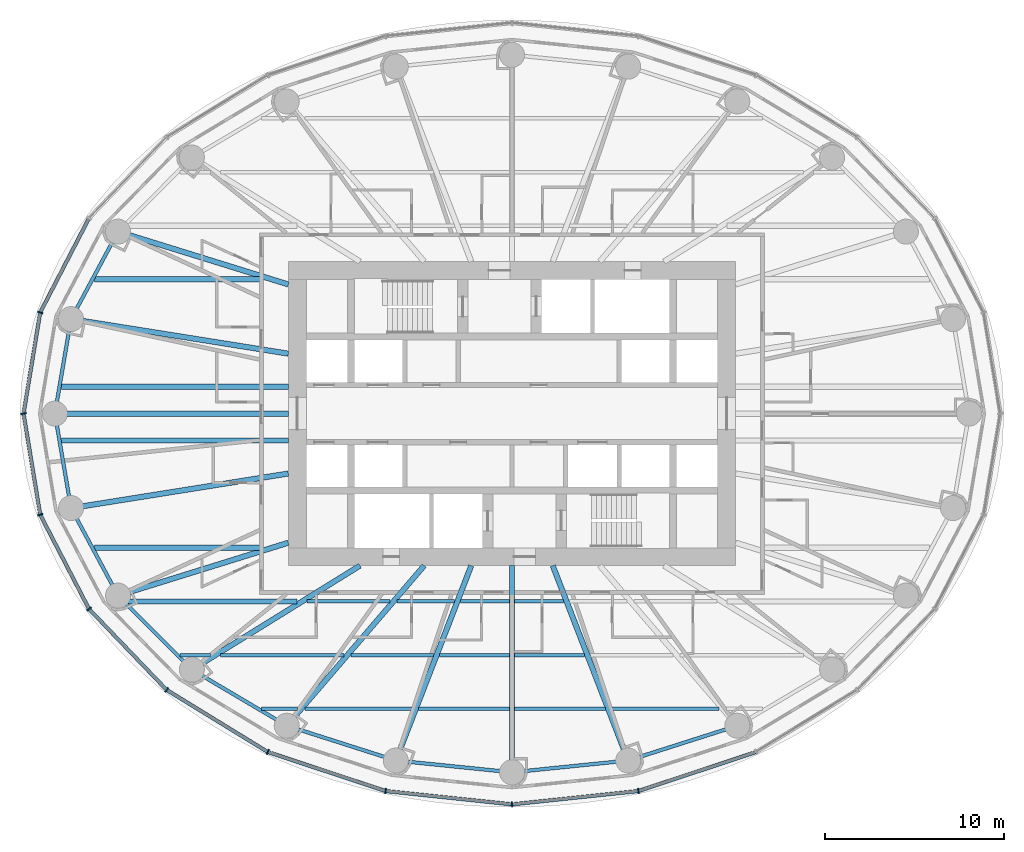
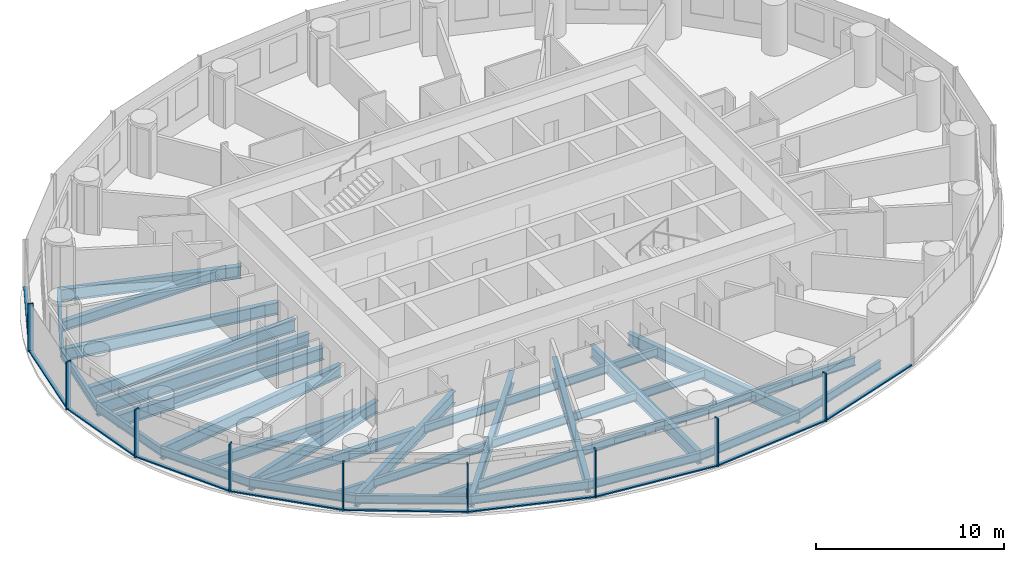
# One storey, part 2 of 14: 39 beams, 19 members, 3 elements without a shape of their own.
"""IFC4 building model written with IfcOpenShell, lengths in metres."""

from ifc_helpers import new_model, si_unit, direction, frame, origin, origin_2d, place, context, subcontext, project, spatial, rectangle, i_section, extrude, material, material_profile, profile_set, type_object, element, aggregate, save


model = new_model("IFC4")

# Units and contexts
model_context = context("Model", 3, precision=1e-05, world=origin(), true_north=direction((0.0, 1.0)))
body_context = subcontext(model_context, "Body", "Model", "MODEL_VIEW")
ifc_project = project(units=[si_unit("LENGTHUNIT", "METRE"), si_unit("AREAUNIT", "SQUARE_METRE"), si_unit("VOLUMEUNIT", "CUBIC_METRE"), si_unit("PLANEANGLEUNIT", "RADIAN"), si_unit("MASSUNIT", "GRAM", prefix="KILO")], contexts=[model_context])

# Site, building, storey
site_placement = place(None, origin())
site = spatial("IfcSite", under=ifc_project, at=site_placement, CompositionType="ELEMENT")
building_placement = place(site_placement, origin())
building = spatial("IfcBuilding", under=site, at=building_placement, Name="Hankou Lantern Tower", CompositionType="ELEMENT")
storey_placement = place(building_placement, frame((0.0, 0.0, 63.89990234375)))
storey = spatial("IfcBuildingStorey", under=building, at=storey_placement, Name="L15", CompositionType="ELEMENT", Elevation=63.89990234375)

# Beams
ifc_material_1 = material(Name="Steel Q355B", Category="steel")
ifc_material_profile_1 = material_profile(ifc_material_1, i_section(OverallWidth=0.199951171875, OverallDepth=0.550048828125, WebThickness=0.010009765625, FlangeThickness=0.01611328125, FilletRadius=0.012939453125, at=origin_2d()), Name="HN550x200x10x16")
ifc_profile_set_1 = profile_set([ifc_material_profile_1], Name="Steel Q355B")
beam_type_1 = type_object("IfcBeamType", Name="EB6 RING BEAM HN550x200x10x16", PredefinedType="SPANDREL", material=ifc_profile_set_1)
beam_1_placement = place(storey_placement, frame((-22.01904296875, 10.170166015625, -0.454833984375), z_axis=(-0.473609096023, -0.880735161194, 0.0), x_axis=(0.880735161194, -0.473609096023, 0.0)))
element("IfcBeam", 1, at=beam_1_placement, inside=storey, type_object=beam_type_1, Name="Ring beam R11-R12 L15", PredefinedType="SPANDREL", context=body_context, shape_type="SweptSolid", body=[
    extrude(i_section(OverallWidth=0.199951171875, OverallDepth=0.550048828125, WebThickness=0.010009765625, FlangeThickness=0.01611328125, FilletRadius=0.012939453125, at=origin_2d()), origin(), (0.0, 0.0, 1.0), 5.548828125),
])
for number, where, z_axis, x_axis, name in (
    (2, (-24.64697265625, 5.283203125, -0.454833984375), (-0.168489691988, -0.985703415685, 0.0), (0.985703415685, -0.168489691988, 0.0), "Ring beam R12-R13 L15"),
    (3, (-25.550048828125, 0.0, -0.454833984375), (0.168489691988, -0.985703415685, 0.0), (0.985703415685, 0.168489691988, 0.0), "Ring beam R13-R14 L15"),
):
    element("IfcBeam", number, at=place(storey_placement, frame(where, z_axis=z_axis, x_axis=x_axis)), inside=storey, type_object=beam_type_1, Name=name, PredefinedType="SPANDREL", context=body_context, shape_type="SweptSolid", body=[
        extrude(i_section(OverallWidth=0.199951171875, OverallDepth=0.550048828125, WebThickness=0.010009765625, FlangeThickness=0.01611328125, FilletRadius=0.012939453125, at=origin_2d()), origin(), (0.0, 0.0, 1.0), 5.35986328125),
    ])
beam_2_placement = place(storey_placement, frame((-24.64697265625, -5.283203125, -0.454833984375), z_axis=(0.473609096023, -0.880735161194, 0.0), x_axis=(0.880735161194, 0.473609096023, 0.0)))
element("IfcBeam", 4, at=beam_2_placement, inside=storey, type_object=beam_type_1, Name="Ring beam R14-R15 L15", PredefinedType="SPANDREL", context=body_context, shape_type="SweptSolid", body=[
    extrude(i_section(OverallWidth=0.199951171875, OverallDepth=0.550048828125, WebThickness=0.010009765625, FlangeThickness=0.01611328125, FilletRadius=0.012939453125, at=origin_2d()), origin(), (0.0, 0.0, 1.0), 5.548828125),
])
beam_3_placement = place(storey_placement, frame((-22.01904296875, -10.170166015625, -0.454833984375), z_axis=(0.705727798394, -0.708483079949, 0.0), x_axis=(0.708483079949, 0.705727798394, 0.0)))
element("IfcBeam", 5, at=beam_3_placement, inside=storey, type_object=beam_type_1, Name="Ring beam R15-R16 L15", PredefinedType="SPANDREL", context=body_context, shape_type="SweptSolid", body=[
    extrude(i_section(OverallWidth=0.199951171875, OverallDepth=0.550048828125, WebThickness=0.010009765625, FlangeThickness=0.01611328125, FilletRadius=0.012939453125, at=origin_2d()), origin(), (0.0, 0.0, 1.0), 5.84814453125),
])
beam_4_placement = place(storey_placement, frame((-17.891845703125, -14.3134765625, -0.454833984375), z_axis=(0.860881533543, -0.508805449268, 0.0), x_axis=(0.508805449268, 0.860881533543, 0.0)))
element("IfcBeam", 6, at=beam_4_placement, inside=storey, type_object=beam_type_1, Name="Ring beam R16-R17 L15", PredefinedType="SPANDREL", context=body_context, shape_type="SweptSolid", body=[
    extrude(i_section(OverallWidth=0.199951171875, OverallDepth=0.550048828125, WebThickness=0.010009765625, FlangeThickness=0.01611328125, FilletRadius=0.012939453125, at=origin_2d()), origin(), (0.0, 0.0, 1.0), 6.15771484375),
])
beam_5_placement = place(storey_placement, frame((-12.5908203125, -17.446533203125, -0.454833984375), z_axis=(0.952690479428, -0.303942182671, 0.0), x_axis=(0.303942182671, 0.952690479428, 0.0)))
element("IfcBeam", 7, at=beam_5_placement, inside=storey, type_object=beam_type_1, Name="Ring beam R17-R18 L15", PredefinedType="SPANDREL", context=body_context, shape_type="SweptSolid", body=[
    extrude(i_section(OverallWidth=0.199951171875, OverallDepth=0.550048828125, WebThickness=0.010009765625, FlangeThickness=0.01611328125, FilletRadius=0.012939453125, at=origin_2d()), origin(), (0.0, 0.0, 1.0), 6.398681640625),
])
for number, where, z_axis, x_axis, name in (
    (8, (-6.494873046875, -19.391357421875, -0.454833984375), (0.994896616842, -0.100899562915, 0.0), (0.100899562915, 0.994896616842, 0.0), "Ring beam R18-R19 L15"),
    (9, (0.0, -20.050048828125, -0.454833984375), (0.994896616842, 0.100899562915, 0.0), (-0.100899562915, 0.994896616842, 0.0), "Ring beam R19-R20 L15"),
):
    element("IfcBeam", number, at=place(storey_placement, frame(where, z_axis=z_axis, x_axis=x_axis)), inside=storey, type_object=beam_type_1, Name=name, PredefinedType="SPANDREL", context=body_context, shape_type="SweptSolid", body=[
        extrude(i_section(OverallWidth=0.199951171875, OverallDepth=0.550048828125, WebThickness=0.010009765625, FlangeThickness=0.01611328125, FilletRadius=0.012939453125, at=origin_2d()), origin(), (0.0, 0.0, 1.0), 6.528076171875),
    ])
beam_6_placement = place(storey_placement, frame((6.494873046875, -19.391357421875, -0.454833984375), z_axis=(0.952690479428, 0.303942182671, 0.0), x_axis=(-0.303942182671, 0.952690479428, 0.0)))
element("IfcBeam", 10, at=beam_6_placement, inside=storey, type_object=beam_type_1, Name="Ring beam R20-R21 L15", PredefinedType="SPANDREL", context=body_context, shape_type="SweptSolid", body=[
    extrude(i_section(OverallWidth=0.199951171875, OverallDepth=0.550048828125, WebThickness=0.010009765625, FlangeThickness=0.01611328125, FilletRadius=0.012939453125, at=origin_2d()), origin(), (0.0, 0.0, 1.0), 6.398681640625),
])

# Curtain wall, member
ifc_material_2 = material(Name="Glass, dark grey tinted laminated", Category="glass")
curtain_wall_type = type_object("IfcCurtainWallType", Name="CWA OUTER SKIN LOW-RISE", PredefinedType="USERDEFINED", material=ifc_material_2)
curtain_wall_1_placement = place(storey_placement, origin())
curtain_wall_1 = element("IfcCurtainWall", 11, at=curtain_wall_1_placement, inside=storey, type_object=curtain_wall_type, Name="CWA L15 OS2", ObjectType="OUTER SKIN LOW-RISE", PredefinedType="USERDEFINED")
ifc_material_3 = material(Name="Aluminium, black anodised", Category="aluminium")
ifc_material_profile_2 = material_profile(ifc_material_3, rectangle(XDim=0.080078125, YDim=0.300048828125, at=origin_2d()), Name="MU1 80X300")
ifc_profile_set_2 = profile_set([ifc_material_profile_2], Name="Aluminium, black anodised")
member_type_1 = type_object("IfcMemberType", Name="MU1 OUTER SKIN MULLION 80X300", PredefinedType="MULLION", material=ifc_profile_set_2)
member_1_placement = place(storey_placement, frame((-26.369873046875, 5.652587890625, 0.0), z_axis=(0.0, 0.0, 1.0), x_axis=(-0.317595577365, -0.94822626479, 0.0)))
member_1 = element("IfcMember", 12, at=member_1_placement, type_object=member_type_1, Name="CWA mullion 6", PredefinedType="MULLION", context=body_context, shape_type="SweptSolid", body=[
    extrude(rectangle(XDim=0.080078125, YDim=0.300048828125, at=origin_2d()), origin(), (0.0, 0.0, 1.0), 3.1201171875),
])

# Curtain wall, members
curtain_wall_2_placement = place(storey_placement, origin())
curtain_wall_2 = element("IfcCurtainWall", 13, at=curtain_wall_2_placement, inside=storey, type_object=curtain_wall_type, Name="CWA L15 OS3", ObjectType="OUTER SKIN LOW-RISE", PredefinedType="USERDEFINED")
member_2_placement = place(storey_placement, frame((-27.300048828125, 0.0, 0.0), z_axis=(0.0, 0.0, 1.0), x_axis=(0.162381515188, -0.986728049427, 0.0)))
member_2 = element("IfcMember", 14, at=member_2_placement, type_object=member_type_1, Name="CWA mullion 1", PredefinedType="MULLION", context=body_context, shape_type="SweptSolid", body=[
    extrude(rectangle(XDim=0.080078125, YDim=0.300048828125, at=origin_2d()), origin(), (0.0, 0.0, 1.0), 3.1201171875),
])
member_3_placement = place(storey_placement, frame((-26.369873046875, -5.652587890625, 0.0), z_axis=(0.0, 0.0, 1.0), x_axis=(0.317595577365, -0.94822626479, 0.0)))
member_3 = element("IfcMember", 15, at=member_3_placement, type_object=member_type_1, Name="CWA mullion 2", PredefinedType="MULLION", context=body_context, shape_type="SweptSolid", body=[
    extrude(rectangle(XDim=0.080078125, YDim=0.300048828125, at=origin_2d()), origin(), (0.0, 0.0, 1.0), 3.1201171875),
])
member_4_placement = place(storey_placement, frame((-23.642578125, -10.919921875, 0.0), z_axis=(0.0, 0.0, 1.0), x_axis=(0.585205735974, -0.810884854084, 0.0)))
member_4 = element("IfcMember", 16, at=member_4_placement, type_object=member_type_1, Name="CWA mullion 3", PredefinedType="MULLION", context=body_context, shape_type="SweptSolid", body=[
    extrude(rectangle(XDim=0.080078125, YDim=0.300048828125, at=origin_2d()), origin(), (0.0, 0.0, 1.0), 3.1201171875),
])
member_5_placement = place(storey_placement, frame((-19.303955078125, -15.443115234375, 0.0), z_axis=(0.0, 0.0, 1.0), x_axis=(0.780868809444, -0.624695047553, 0.0)))
member_5 = element("IfcMember", 17, at=member_5_placement, type_object=member_type_1, Name="CWA mullion 4", PredefinedType="MULLION", context=body_context, shape_type="SweptSolid", body=[
    extrude(rectangle(XDim=0.080078125, YDim=0.300048828125, at=origin_2d()), origin(), (0.0, 0.0, 1.0), 3.1201171875),
])
member_6_placement = place(storey_placement, frame((-13.64990234375, -18.9140625, 0.0), z_axis=(0.0, 0.0, 1.0), x_axis=(0.907841299004, -0.419313934686, 0.0)))
member_6 = element("IfcMember", 18, at=member_6_placement, type_object=member_type_1, Name="CWA mullion 5", PredefinedType="MULLION", context=body_context, shape_type="SweptSolid", body=[
    extrude(rectangle(XDim=0.080078125, YDim=0.300048828125, at=origin_2d()), origin(), (0.0, 0.0, 1.0), 3.1201171875),
])
member_7_placement = place(storey_placement, frame((-7.065673828125, -21.095703125, 0.0), z_axis=(0.0, 0.0, 1.0), x_axis=(0.977787659625, -0.209597931016, 0.0)))
member_7 = element("IfcMember", 19, at=member_7_placement, type_object=member_type_1, Name="CWA mullion 6", PredefinedType="MULLION", context=body_context, shape_type="SweptSolid", body=[
    extrude(rectangle(XDim=0.080078125, YDim=0.300048828125, at=origin_2d()), origin(), (0.0, 0.0, 1.0), 3.1201171875),
])

curtain_wall_3_placement = place(storey_placement, origin())
curtain_wall_3 = element("IfcCurtainWall", 20, at=curtain_wall_3_placement, inside=storey, type_object=curtain_wall_type, Name="CWA L15 OS4", ObjectType="OUTER SKIN LOW-RISE", PredefinedType="USERDEFINED")
member_8_placement = place(storey_placement, frame((0.0, -21.840087890625, 0.0), z_axis=(0.0, 0.0, 1.0), x_axis=(0.994499359107, 0.104742659579, 0.0)))
member_8 = element("IfcMember", 21, at=member_8_placement, type_object=member_type_1, Name="CWA mullion 1", PredefinedType="MULLION", context=body_context, shape_type="SweptSolid", body=[
    extrude(rectangle(XDim=0.080078125, YDim=0.300048828125, at=origin_2d()), origin(), (0.0, 0.0, 1.0), 3.1201171875),
])
member_9_placement = place(storey_placement, frame((7.065673828125, -21.095703125, 0.0), z_axis=(0.0, 0.0, 1.0), x_axis=(0.977787659625, 0.209597931016, 0.0)))
member_9 = element("IfcMember", 22, at=member_9_placement, type_object=member_type_1, Name="CWA mullion 2", PredefinedType="MULLION", context=body_context, shape_type="SweptSolid", body=[
    extrude(rectangle(XDim=0.080078125, YDim=0.300048828125, at=origin_2d()), origin(), (0.0, 0.0, 1.0), 3.1201171875),
])

# Beams
ifc_material_4 = material(Name="Steel Q355B", Category="steel")
ifc_material_profile_3 = material_profile(ifc_material_4, i_section(OverallWidth=0.300048828125, OverallDepth=0.800048828125, WebThickness=0.013916015625, FlangeThickness=0.02587890625, FilletRadius=0.01806640625, at=origin_2d()), Name="HN800x300x14x26")
ifc_profile_set_3 = profile_set([ifc_material_profile_3], Name="Steel Q355B")
beam_type_2 = type_object("IfcBeamType", Name="RB11 RADIAL BEAM HN800x300x14x26", PredefinedType="BEAM", material=ifc_profile_set_3)
beam_7_placement = place(storey_placement, frame((-12.5, 7.216796875, -0.579833984375), z_axis=(-0.955087327755, 0.29632447817, 0.0), x_axis=(-0.29632447817, -0.955087327755, 0.0)))
element("IfcBeam", 23, at=beam_7_placement, inside=storey, type_object=beam_type_2, Name="Radial beam R11 L15", PredefinedType="BEAM", context=body_context, shape_type="SweptSolid", body=[
    extrude(i_section(OverallWidth=0.300048828125, OverallDepth=0.800048828125, WebThickness=0.013916015625, FlangeThickness=0.02587890625, FilletRadius=0.01806640625, at=origin_2d()), origin(), (0.0, 0.0, 1.0), 9.966552734375),
])
for number, where, z_axis, x_axis, name in (
    (24, (-12.5, 3.349365234375, -0.579833984375), (-0.987563081343, 0.157223281893, 0.0), (-0.157223281893, -0.987563081343, 0.0), "Radial beam R12 L15"),
    (25, (-12.5, -3.349365234375, -0.579833984375), (-0.987563081343, -0.157223281893, 0.0), (0.157223281893, -0.987563081343, 0.0), "Radial beam R14 L15"),
):
    element("IfcBeam", number, at=place(storey_placement, frame(where, z_axis=z_axis, x_axis=x_axis)), inside=storey, type_object=beam_type_2, Name=name, PredefinedType="BEAM", context=body_context, shape_type="SweptSolid", body=[
        extrude(i_section(OverallWidth=0.300048828125, OverallDepth=0.800048828125, WebThickness=0.013916015625, FlangeThickness=0.02587890625, FilletRadius=0.01806640625, at=origin_2d()), origin(), (0.0, 0.0, 1.0), 12.300048828125),
    ])
beam_8_placement = place(storey_placement, frame((-12.5, -7.216796875, -0.579833984375), z_axis=(-0.955087327755, -0.29632447817, 0.0), x_axis=(0.29632447817, -0.955087327755, 0.0)))
element("IfcBeam", 26, at=beam_8_placement, inside=storey, type_object=beam_type_2, Name="Radial beam R15 L15", PredefinedType="BEAM", context=body_context, shape_type="SweptSolid", body=[
    extrude(i_section(OverallWidth=0.300048828125, OverallDepth=0.800048828125, WebThickness=0.013916015625, FlangeThickness=0.02587890625, FilletRadius=0.01806640625, at=origin_2d()), origin(), (0.0, 0.0, 1.0), 9.966552734375),
])
beam_9_placement = place(storey_placement, frame((-8.5, -8.5, -0.579833984375), z_axis=(-0.850286343288, -0.526320372414, 0.0), x_axis=(0.526320372414, -0.850286343288, 0.0)))
element("IfcBeam", 27, at=beam_9_placement, inside=storey, type_object=beam_type_2, Name="Radial beam R16 L15", PredefinedType="BEAM", context=body_context, shape_type="SweptSolid", body=[
    extrude(i_section(OverallWidth=0.300048828125, OverallDepth=0.800048828125, WebThickness=0.013916015625, FlangeThickness=0.02587890625, FilletRadius=0.01806640625, at=origin_2d()), origin(), (0.0, 0.0, 1.0), 11.04541015625),
])
beam_10_placement = place(storey_placement, frame((-4.907470703125, -8.5, -0.579833984375), z_axis=(-0.651519061225, -0.758632264579, 0.0), x_axis=(0.758632264579, -0.651519061225, 0.0)))
element("IfcBeam", 28, at=beam_10_placement, inside=storey, type_object=beam_type_2, Name="Radial beam R17 L15", PredefinedType="BEAM", context=body_context, shape_type="SweptSolid", body=[
    extrude(i_section(OverallWidth=0.300048828125, OverallDepth=0.800048828125, WebThickness=0.013916015625, FlangeThickness=0.02587890625, FilletRadius=0.01806640625, at=origin_2d()), origin(), (0.0, 0.0, 1.0), 11.79296875),
])
beam_11_placement = place(storey_placement, frame((-2.277587890625, -8.5, -0.579833984375), z_axis=(-0.361089103374, -0.932531318201, 0.0), x_axis=(0.932531318201, -0.361089103374, 0.0)))
element("IfcBeam", 29, at=beam_11_placement, inside=storey, type_object=beam_type_2, Name="Radial beam R18 L15", PredefinedType="BEAM", context=body_context, shape_type="SweptSolid", body=[
    extrude(i_section(OverallWidth=0.300048828125, OverallDepth=0.800048828125, WebThickness=0.013916015625, FlangeThickness=0.02587890625, FilletRadius=0.01806640625, at=origin_2d()), origin(), (0.0, 0.0, 1.0), 11.679443359375),
])
beam_12_placement = place(storey_placement, frame((0.0, -8.5, -0.579833984375), z_axis=(0.0, -1.0, 0.0), x_axis=(1.0, 0.0, 0.0)))
element("IfcBeam", 30, at=beam_12_placement, inside=storey, type_object=beam_type_2, Name="Radial beam R19 L15", PredefinedType="BEAM", context=body_context, shape_type="SweptSolid", body=[
    extrude(i_section(OverallWidth=0.300048828125, OverallDepth=0.800048828125, WebThickness=0.013916015625, FlangeThickness=0.02587890625, FilletRadius=0.01806640625, at=origin_2d()), origin(), (0.0, 0.0, 1.0), 11.550048828125),
])
beam_13_placement = place(storey_placement, frame((2.277587890625, -8.5, -0.579833984375), z_axis=(0.361089103374, -0.932531318201, 0.0), x_axis=(0.932531318201, 0.361089103374, 0.0)))
element("IfcBeam", 31, at=beam_13_placement, inside=storey, type_object=beam_type_2, Name="Radial beam R20 L15", PredefinedType="BEAM", context=body_context, shape_type="SweptSolid", body=[
    extrude(i_section(OverallWidth=0.300048828125, OverallDepth=0.800048828125, WebThickness=0.013916015625, FlangeThickness=0.02587890625, FilletRadius=0.01806640625, at=origin_2d()), origin(), (0.0, 0.0, 1.0), 11.679443359375),
])
ifc_material_5 = material(Name="Steel Q355B", Category="steel")
ifc_material_profile_4 = material_profile(ifc_material_5, i_section(OverallWidth=0.300048828125, OverallDepth=0.85009765625, WebThickness=0.01611328125, FlangeThickness=0.027099609375, FilletRadius=0.01806640625, at=origin_2d()), Name="HN850x300x16x27")
ifc_profile_set_4 = profile_set([ifc_material_profile_4], Name="Steel Q355B")
beam_type_3 = type_object("IfcBeamType", Name="RB12 RADIAL BEAM HN850x300x16x27", PredefinedType="BEAM", material=ifc_profile_set_4)
beam_14_placement = place(storey_placement, frame((-12.5, 0.0, -0.60498046875), z_axis=(-1.0, 0.0, 0.0), x_axis=(0.0, -1.0, 0.0)))
element("IfcBeam", 32, at=beam_14_placement, inside=storey, type_object=beam_type_3, Name="Radial beam R13 L15", PredefinedType="BEAM", context=body_context, shape_type="SweptSolid", body=[
    extrude(i_section(OverallWidth=0.300048828125, OverallDepth=0.85009765625, WebThickness=0.01611328125, FlangeThickness=0.027099609375, FilletRadius=0.01806640625, at=origin_2d()), origin(), (0.0, 0.0, 1.0), 13.050048828125),
])
ifc_material_6 = material(Name="Steel Q355B", Category="steel")
ifc_material_profile_5 = material_profile(ifc_material_6, i_section(OverallWidth=0.300048828125, OverallDepth=0.800048828125, WebThickness=0.013916015625, FlangeThickness=0.02587890625, FilletRadius=0.01806640625, at=origin_2d()), Name="HN800x300x14x26")
ifc_profile_set_5 = profile_set([ifc_material_profile_5], Name="Steel Q355B")
beam_type_4 = type_object("IfcBeamType", Name="SB11 SECONDARY BEAM HN800x300x14x26", PredefinedType="JOIST", material=ifc_profile_set_5)
for number, where, z_axis, x_axis, name in (
    (33, (-25.192138671875, -1.5, -0.579833984375), (1.0, 0.0, 0.0), (0.0, 1.0, 0.0), "Floor joist J029 L15"),
    (34, (-25.192138671875, 1.5, -0.579833984375), (1.0, 0.0, 0.0), (0.0, 1.0, 0.0), "Floor joist J031 L15"),
):
    element("IfcBeam", number, at=place(storey_placement, frame(where, z_axis=z_axis, x_axis=x_axis)), inside=storey, type_object=beam_type_4, Name=name, PredefinedType="JOIST", context=body_context, shape_type="SweptSolid", body=[
        extrude(i_section(OverallWidth=0.300048828125, OverallDepth=0.800048828125, WebThickness=0.013916015625, FlangeThickness=0.02587890625, FilletRadius=0.01806640625, at=origin_2d()), origin(), (0.0, 0.0, 1.0), 12.692138671875),
    ])
ifc_material_7 = material(Name="Steel Q355B", Category="steel")
ifc_material_profile_6 = material_profile(ifc_material_7, i_section(OverallWidth=0.199951171875, OverallDepth=0.550048828125, WebThickness=0.010009765625, FlangeThickness=0.01611328125, FilletRadius=0.012939453125, at=origin_2d()), Name="HN550x200x10x16")
ifc_profile_set_6 = profile_set([ifc_material_profile_6], Name="Steel Q355B")
beam_type_5 = type_object("IfcBeamType", Name="SB6 SECONDARY BEAM HN550x200x10x16", PredefinedType="JOIST", material=ifc_profile_set_6)
beam_15_placement = place(storey_placement, frame((-13.99560546875, -16.5, -0.454833984375), z_axis=(1.0, 0.0, 0.0), x_axis=(0.0, 1.0, 0.0)))
element("IfcBeam", 35, at=beam_15_placement, inside=storey, type_object=beam_type_5, Name="Floor joist J001 L15", PredefinedType="JOIST", context=body_context, shape_type="SweptSolid", body=[
    extrude(i_section(OverallWidth=0.199951171875, OverallDepth=0.550048828125, WebThickness=0.010009765625, FlangeThickness=0.01611328125, FilletRadius=0.012939453125, at=origin_2d()), origin(), (0.0, 0.0, 1.0), 2.019775390625),
])
beam_16_placement = place(storey_placement, frame((-11.580322265625, -16.5, -0.454833984375), z_axis=(1.0, 0.0, 0.0), x_axis=(0.0, 1.0, 0.0)))
element("IfcBeam", 36, at=beam_16_placement, inside=storey, type_object=beam_type_5, Name="Floor joist J002 L15", PredefinedType="JOIST", context=body_context, shape_type="SweptSolid", body=[
    extrude(i_section(OverallWidth=0.199951171875, OverallDepth=0.550048828125, WebThickness=0.010009765625, FlangeThickness=0.01611328125, FilletRadius=0.012939453125, at=origin_2d()), origin(), (0.0, 0.0, 1.0), 6.044189453125),
])
for number, where, z_axis, x_axis, name in (
    (37, (-5.21435546875, -16.5, -0.454833984375), (1.0, 0.0, 0.0), (0.0, 1.0, 0.0), "Floor joist J003 L15"),
    (38, (0.14990234375, -16.5, -0.454833984375), (1.0, 0.0, 0.0), (0.0, 1.0, 0.0), "Floor joist J004 L15"),
):
    element("IfcBeam", number, at=place(storey_placement, frame(where, z_axis=z_axis, x_axis=x_axis)), inside=storey, type_object=beam_type_5, Name=name, PredefinedType="JOIST", context=body_context, shape_type="SweptSolid", body=[
        extrude(i_section(OverallWidth=0.199951171875, OverallDepth=0.550048828125, WebThickness=0.010009765625, FlangeThickness=0.01611328125, FilletRadius=0.012939453125, at=origin_2d()), origin(), (0.0, 0.0, 1.0), 5.064453125),
    ])
beam_17_placement = place(storey_placement, frame((5.5361328125, -16.5, -0.454833984375), z_axis=(1.0, 0.0, 0.0), x_axis=(0.0, 1.0, 0.0)))
element("IfcBeam", 39, at=beam_17_placement, inside=storey, type_object=beam_type_5, Name="Floor joist J005 L15", PredefinedType="JOIST", context=body_context, shape_type="SweptSolid", body=[
    extrude(i_section(OverallWidth=0.199951171875, OverallDepth=0.550048828125, WebThickness=0.010009765625, FlangeThickness=0.01611328125, FilletRadius=0.012939453125, at=origin_2d()), origin(), (0.0, 0.0, 1.0), 6.044189453125),
])
beam_18_placement = place(storey_placement, frame((-18.560791015625, -13.5, -0.454833984375), z_axis=(1.0, 0.0, 0.0), x_axis=(0.0, 1.0, 0.0)))
element("IfcBeam", 40, at=beam_18_placement, inside=storey, type_object=beam_type_5, Name="Floor joist J007 L15", PredefinedType="JOIST", context=body_context, shape_type="SweptSolid", body=[
    extrude(i_section(OverallWidth=0.199951171875, OverallDepth=0.550048828125, WebThickness=0.010009765625, FlangeThickness=0.01611328125, FilletRadius=0.012939453125, at=origin_2d()), origin(), (0.0, 0.0, 1.0), 1.697998046875),
])
beam_19_placement = place(storey_placement, frame((-16.292724609375, -13.5, -0.454833984375), z_axis=(1.0, 0.0, 0.0), x_axis=(0.0, 1.0, 0.0)))
element("IfcBeam", 41, at=beam_19_placement, inside=storey, type_object=beam_type_5, Name="Floor joist J008 L15", PredefinedType="JOIST", context=body_context, shape_type="SweptSolid", body=[
    extrude(i_section(OverallWidth=0.199951171875, OverallDepth=0.550048828125, WebThickness=0.010009765625, FlangeThickness=0.01611328125, FilletRadius=0.012939453125, at=origin_2d()), origin(), (0.0, 0.0, 1.0), 6.893310546875),
])
beam_20_placement = place(storey_placement, frame((-9.00390625, -13.5, -0.454833984375), z_axis=(1.0, 0.0, 0.0), x_axis=(0.0, 1.0, 0.0)))
element("IfcBeam", 42, at=beam_20_placement, inside=storey, type_object=beam_type_5, Name="Floor joist J009 L15", PredefinedType="JOIST", context=body_context, shape_type="SweptSolid", body=[
    extrude(i_section(OverallWidth=0.199951171875, OverallDepth=0.550048828125, WebThickness=0.010009765625, FlangeThickness=0.01611328125, FilletRadius=0.012939453125, at=origin_2d()), origin(), (0.0, 0.0, 1.0), 4.62939453125),
])
for number, where, z_axis, x_axis, name in (
    (43, (-4.052734375, -13.5, -0.454833984375), (1.0, 0.0, 0.0), (0.0, 1.0, 0.0), "Floor joist J010 L15"),
    (44, (0.14990234375, -13.5, -0.454833984375), (1.0, 0.0, 0.0), (0.0, 1.0, 0.0), "Floor joist J011 L15"),
):
    element("IfcBeam", number, at=place(storey_placement, frame(where, z_axis=z_axis, x_axis=x_axis)), inside=storey, type_object=beam_type_5, Name=name, PredefinedType="JOIST", context=body_context, shape_type="SweptSolid", body=[
        extrude(i_section(OverallWidth=0.199951171875, OverallDepth=0.550048828125, WebThickness=0.010009765625, FlangeThickness=0.01611328125, FilletRadius=0.012939453125, at=origin_2d()), origin(), (0.0, 0.0, 1.0), 3.90283203125),
    ])
beam_21_placement = place(storey_placement, frame((-11.446044921875, -10.5, -0.454833984375), z_axis=(1.0, 0.0, 0.0), x_axis=(0.0, 1.0, 0.0)))
element("IfcBeam", 45, at=beam_21_placement, inside=storey, type_object=beam_type_5, Name="Floor joist J016 L15", PredefinedType="JOIST", context=body_context, shape_type="SweptSolid", body=[
    extrude(i_section(OverallWidth=0.199951171875, OverallDepth=0.550048828125, WebThickness=0.010009765625, FlangeThickness=0.01611328125, FilletRadius=0.012939453125, at=origin_2d()), origin(), (0.0, 0.0, 1.0), 4.623291015625),
])
beam_22_placement = place(storey_placement, frame((-6.427490234375, -10.5, -0.454833984375), z_axis=(1.0, 0.0, 0.0), x_axis=(0.0, 1.0, 0.0)))
element("IfcBeam", 46, at=beam_22_placement, inside=storey, type_object=beam_type_5, Name="Floor joist J017 L15", PredefinedType="JOIST", context=body_context, shape_type="SweptSolid", body=[
    extrude(i_section(OverallWidth=0.199951171875, OverallDepth=0.550048828125, WebThickness=0.010009765625, FlangeThickness=0.01611328125, FilletRadius=0.012939453125, at=origin_2d()), origin(), (0.0, 0.0, 1.0), 3.214599609375),
])
for number, where, z_axis, x_axis, name in (
    (47, (-2.89111328125, -10.5, -0.454833984375), (1.0, 0.0, 0.0), (0.0, 1.0, 0.0), "Floor joist J018 L15"),
    (48, (0.14990234375, -10.5, -0.454833984375), (1.0, 0.0, 0.0), (0.0, 1.0, 0.0), "Floor joist J019 L15"),
):
    element("IfcBeam", number, at=place(storey_placement, frame(where, z_axis=z_axis, x_axis=x_axis)), inside=storey, type_object=beam_type_5, Name=name, PredefinedType="JOIST", context=body_context, shape_type="SweptSolid", body=[
        extrude(i_section(OverallWidth=0.199951171875, OverallDepth=0.550048828125, WebThickness=0.010009765625, FlangeThickness=0.01611328125, FilletRadius=0.012939453125, at=origin_2d()), origin(), (0.0, 0.0, 1.0), 2.7412109375),
    ])
ifc_material_8 = material(Name="Steel Q355B", Category="steel")
ifc_material_profile_7 = material_profile(ifc_material_8, i_section(OverallWidth=0.300048828125, OverallDepth=0.64990234375, WebThickness=0.010986328125, FlangeThickness=0.01708984375, FilletRadius=0.01806640625, at=origin_2d()), Name="HN650x300x11x17")
ifc_profile_set_7 = profile_set([ifc_material_profile_7], Name="Steel Q355B")
beam_type_6 = type_object("IfcBeamType", Name="SB8 SECONDARY BEAM HN650x300x11x17", PredefinedType="JOIST", material=ifc_profile_set_7)
beam_23_placement = place(storey_placement, frame((-21.54931640625, -10.5, -0.5048828125), z_axis=(1.0, 0.0, 0.0), x_axis=(0.0, 1.0, 0.0)))
element("IfcBeam", 49, at=beam_23_placement, inside=storey, type_object=beam_type_6, Name="Floor joist J015 L15", PredefinedType="JOIST", context=body_context, shape_type="SweptSolid", body=[
    extrude(i_section(OverallWidth=0.300048828125, OverallDepth=0.64990234375, WebThickness=0.010986328125, FlangeThickness=0.01708984375, FilletRadius=0.01806640625, at=origin_2d()), origin(), (0.0, 0.0, 1.0), 9.533203125),
])
for number, where, z_axis, x_axis, name in (
    (50, (-23.341552734375, -7.5, -0.5048828125), (1.0, 0.0, 0.0), (0.0, 1.0, 0.0), "Floor joist J023 L15"),
    (51, (-23.341552734375, 7.5, -0.5048828125), (1.0, 0.0, 0.0), (0.0, 1.0, 0.0), "Floor joist J037 L15"),
):
    element("IfcBeam", number, at=place(storey_placement, frame(where, z_axis=z_axis, x_axis=x_axis)), inside=storey, type_object=beam_type_6, Name=name, PredefinedType="JOIST", context=body_context, shape_type="SweptSolid", body=[
        extrude(i_section(OverallWidth=0.300048828125, OverallDepth=0.64990234375, WebThickness=0.010986328125, FlangeThickness=0.01708984375, FilletRadius=0.01806640625, at=origin_2d()), origin(), (0.0, 0.0, 1.0), 9.4228515625),
    ])

# Member
ifc_material_9 = material(Name="Aluminium, black anodised", Category="aluminium")
ifc_material_profile_8 = material_profile(ifc_material_9, rectangle(XDim=0.199951171875, YDim=0.080078125, at=origin_2d()), Name="TR1 200X80")
ifc_profile_set_8 = profile_set([ifc_material_profile_8], Name="Aluminium, black anodised")
member_type_2 = type_object("IfcMemberType", Name="TR1 OUTER SKIN TRANSOM 200X80", PredefinedType="USERDEFINED", material=ifc_profile_set_8)
member_10_placement = place(storey_placement, frame((-23.660888671875, 10.884521484375, 0.0400390625), z_axis=(-0.459786096495, -0.888029698529, 0.0), x_axis=(0.888029698529, -0.459786096495, 0.0)))
member_10 = element("IfcMember", 52, at=member_10_placement, type_object=member_type_2, Name="CWA transom 5", ObjectType="TRANSOM", PredefinedType="USERDEFINED", context=body_context, shape_type="SweptSolid", body=[
    extrude(rectangle(XDim=0.199951171875, YDim=0.080078125, at=origin_2d()), origin(), (0.0, 0.0, 1.0), 5.8515625),
])

member_11_placement = place(storey_placement, frame((-26.376220703125, 5.613037109375, 0.0400390625), z_axis=(-0.162387045529, -0.986727139307, 0.0), x_axis=(0.986727139307, -0.162387045529, 0.0)))
member_11 = element("IfcMember", 53, at=member_11_placement, type_object=member_type_2, Name="CWA transom 6", ObjectType="TRANSOM", PredefinedType="USERDEFINED", context=body_context, shape_type="SweptSolid", body=[
    extrude(rectangle(XDim=0.199951171875, YDim=0.080078125, at=origin_2d()), origin(), (0.0, 0.0, 1.0), 5.6484375),
])

aggregate(curtain_wall_1, [member_1, member_10, member_11])

member_12_placement = place(storey_placement, frame((-27.29345703125, -0.03955078125, 0.0400390625), z_axis=(0.162387045529, -0.986727139307, 0.0), x_axis=(0.986727139307, 0.162387045529, 0.0)))
member_12 = element("IfcMember", 54, at=member_12_placement, type_object=member_type_2, Name="CWA transom 1", ObjectType="TRANSOM", PredefinedType="USERDEFINED", context=body_context, shape_type="SweptSolid", body=[
    extrude(rectangle(XDim=0.199951171875, YDim=0.080078125, at=origin_2d()), origin(), (0.0, 0.0, 1.0), 5.6484375),
])

member_13_placement = place(storey_placement, frame((-26.351318359375, -5.688232421875, 0.0400390625), z_axis=(0.459786096495, -0.888029698529, 0.0), x_axis=(0.888029698529, 0.459786096495, 0.0)))
member_13 = element("IfcMember", 55, at=member_13_placement, type_object=member_type_2, Name="CWA transom 2", ObjectType="TRANSOM", PredefinedType="USERDEFINED", context=body_context, shape_type="SweptSolid", body=[
    extrude(rectangle(XDim=0.199951171875, YDim=0.080078125, at=origin_2d()), origin(), (0.0, 0.0, 1.0), 5.8515625),
])

member_14_placement = place(storey_placement, frame((-23.61474609375, -10.948974609375, 0.0400390625), z_axis=(0.692215537374, -0.721690827029, 0.0), x_axis=(0.721690827029, 0.692215537374, 0.0)))
member_14 = element("IfcMember", 56, at=member_14_placement, type_object=member_type_2, Name="CWA transom 3", ObjectType="TRANSOM", PredefinedType="USERDEFINED", context=body_context, shape_type="SweptSolid", body=[
    extrude(rectangle(XDim=0.199951171875, YDim=0.080078125, at=origin_2d()), origin(), (0.0, 0.0, 1.0), 6.187255859375),
])

member_15_placement = place(storey_placement, frame((-19.27001953125, -15.464111328125, 0.0400390625), z_axis=(0.85223969557, -0.523151508929, 0.0), x_axis=(0.523151508929, 0.85223969557, 0.0)))
member_15 = element("IfcMember", 57, at=member_15_placement, type_object=member_type_2, Name="CWA transom 4", ObjectType="TRANSOM", PredefinedType="USERDEFINED", context=body_context, shape_type="SweptSolid", body=[
    extrude(rectangle(XDim=0.199951171875, YDim=0.080078125, at=origin_2d()), origin(), (0.0, 0.0, 1.0), 6.554443359375),
])

member_16_placement = place(storey_placement, frame((-13.612060546875, -18.926513671875, 0.0400390625), z_axis=(0.949237318771, -0.314560825044, 0.0), x_axis=(0.314560825044, 0.949237318771, 0.0)))
member_16 = element("IfcMember", 58, at=member_16_placement, type_object=member_type_2, Name="CWA transom 5", ObjectType="TRANSOM", PredefinedType="USERDEFINED", context=body_context, shape_type="SweptSolid", body=[
    extrude(rectangle(XDim=0.199951171875, YDim=0.080078125, at=origin_2d()), origin(), (0.0, 0.0, 1.0), 6.8564453125),
])

member_17_placement = place(storey_placement, frame((-7.02587890625, -21.10009765625, 0.0400390625), z_axis=(0.994502215033, -0.104715539888, 0.0), x_axis=(0.104715539888, 0.994502215033, 0.0)))
member_17 = element("IfcMember", 59, at=member_17_placement, type_object=member_type_2, Name="CWA transom 6", ObjectType="TRANSOM", PredefinedType="USERDEFINED", context=body_context, shape_type="SweptSolid", body=[
    extrude(rectangle(XDim=0.199951171875, YDim=0.080078125, at=origin_2d()), origin(), (0.0, 0.0, 1.0), 7.024658203125),
])

aggregate(curtain_wall_2, [member_2, member_3, member_4, member_5, member_6, member_7, member_12, member_13, member_14, member_15, member_16, member_17])

member_18_placement = place(storey_placement, frame((0.039794921875, -21.835693359375, 0.0400390625), z_axis=(0.994502215033, 0.104715539888, 0.0), x_axis=(-0.104715539888, 0.994502215033, 0.0)))
member_18 = element("IfcMember", 60, at=member_18_placement, type_object=member_type_2, Name="CWA transom 1", ObjectType="TRANSOM", PredefinedType="USERDEFINED", context=body_context, shape_type="SweptSolid", body=[
    extrude(rectangle(XDim=0.199951171875, YDim=0.080078125, at=origin_2d()), origin(), (0.0, 0.0, 1.0), 7.024658203125),
])

member_19_placement = place(storey_placement, frame((7.103759765625, -21.083251953125, 0.0400390625), z_axis=(0.949237318771, 0.314560825044, 0.0), x_axis=(-0.314560825044, 0.949237318771, 0.0)))
member_19 = element("IfcMember", 61, at=member_19_placement, type_object=member_type_2, Name="CWA transom 2", ObjectType="TRANSOM", PredefinedType="USERDEFINED", context=body_context, shape_type="SweptSolid", body=[
    extrude(rectangle(XDim=0.199951171875, YDim=0.080078125, at=origin_2d()), origin(), (0.0, 0.0, 1.0), 6.8564453125),
])

aggregate(curtain_wall_3, [member_8, member_9, member_18, member_19])

save(model, "model.ifc")
